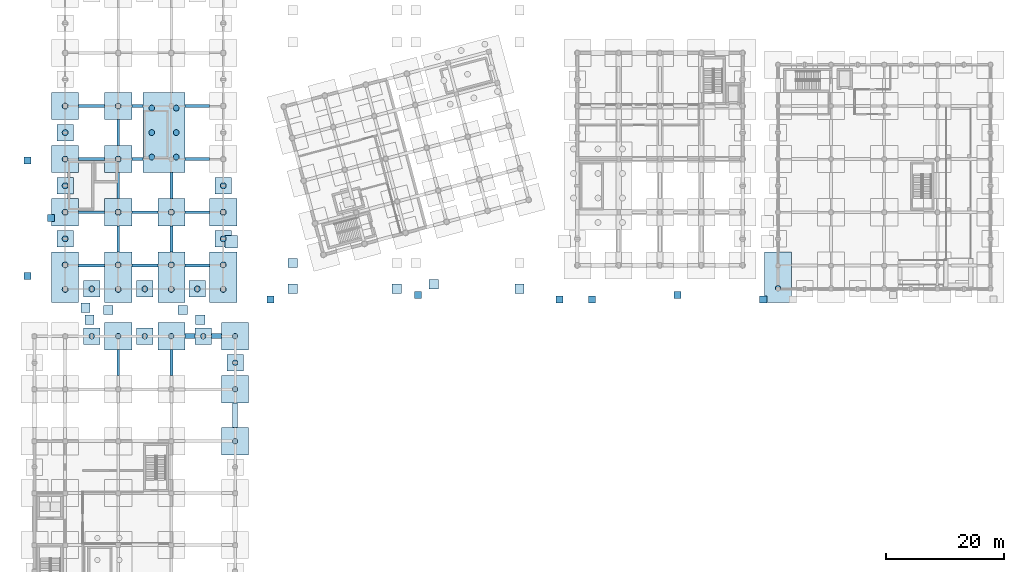
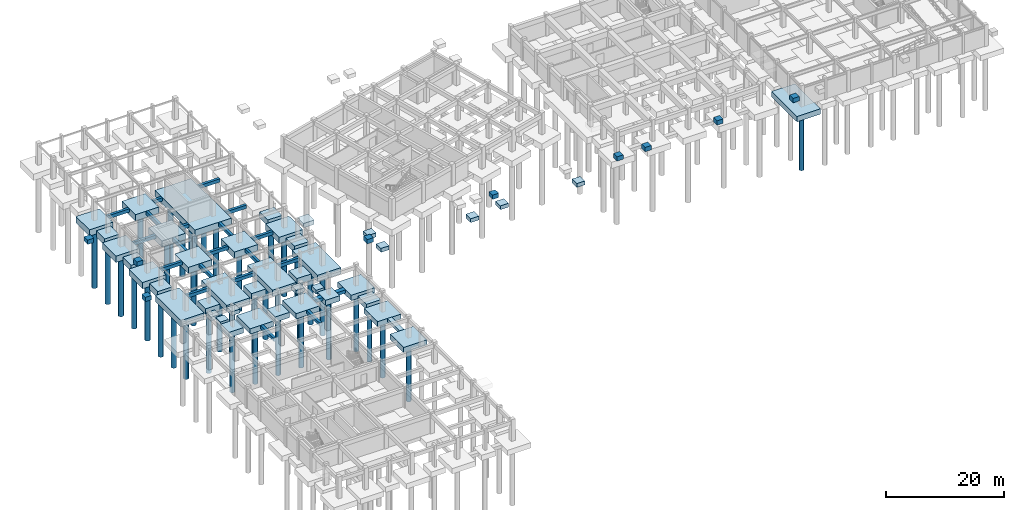
# One storey, part 2 of 20: 73 footings, 40 piles.
"""IFC4 building model written with IfcOpenShell, lengths in metres."""

import ifcopenshell
import ifcopenshell.guid

model = None  # the IFC model being written
_history = None  # IfcOwnerHistory: only IFC2X3 demands one
_inside = {}  # id of a spatial element -> (the spatial element, [elements in it])
_under = {}  # id of a project, library or spatial element -> (it, [spatial elements below it])
_declared = {}  # id of a project -> (the project, [libraries it declares])
_typed = {}  # id of a type object -> (the type object, [elements of that type])
_made_of = {}  # id of a material, layer set ... -> (it, [elements and type objects made of it])


def new_model(schema):
    """Start an empty IFC model of exactly this schema.

    Asked for "IFC4X3", IfcOpenShell would pick the latest addendum, in which some entities
    have other attributes; the version numbers below select the first issue.
    IFC2X3 requires an IfcOwnerHistory on every rooted entity: one is made here for all.
    """
    global model, _history
    if schema == "IFC4X3":
        model = ifcopenshell.file(schema_version=(4, 3, 0, 0))
    else:
        model = ifcopenshell.file(schema=schema)
    _inside.clear()
    _under.clear()
    _declared.clear()
    _typed.clear()
    _made_of.clear()
    _history = None
    if model.schema == "IFC2X3":
        org = make("IfcOrganization", Name="unknown")
        user = make(
            "IfcPersonAndOrganization",
            ThePerson=make("IfcPerson", FamilyName="unknown"),
            TheOrganization=org,
        )
        app = make(
            "IfcApplication",
            ApplicationDeveloper=org,
            Version="unknown",
            ApplicationFullName="unknown",
            ApplicationIdentifier="unknown",
        )
        _history = make(
            "IfcOwnerHistory",
            OwningUser=user,
            OwningApplication=app,
            ChangeAction="ADDED",
            CreationDate=0,
        )
    return model


def make(cls, **values):
    """One entity of the class cls with the attributes given. An attribute that is None is left unset."""
    return model.create_entity(
        cls, **{name: value for name, value in values.items() if value is not None}
    )


def rooted(cls, **values):
    """An entity with a GlobalId (a new one), such as an element, a storey or a relation."""
    return make(cls, GlobalId=ifcopenshell.guid.new(), OwnerHistory=_history, **values)


def si_unit(unit_type, name, prefix=None):
    """IfcSIUnit, for example si_unit("LENGTHUNIT", "METRE", prefix="MILLI")."""
    return make("IfcSIUnit", UnitType=unit_type, Prefix=prefix, Name=name)


def assignment(units):
    """IfcUnitAssignment: the units of a project."""
    return None if units is None else make("IfcUnitAssignment", Units=units)


def point(xyz):
    """IfcCartesianPoint."""
    return None if xyz is None else make("IfcCartesianPoint", Coordinates=xyz)


def direction(xyz):
    """IfcDirection."""
    return None if xyz is None else make("IfcDirection", DirectionRatios=xyz)


def frame(location, z_axis=None, x_axis=None):
    """IfcAxis2Placement3D, a coordinate frame: its origin and axes. An axis left out is left unset."""
    return make(
        "IfcAxis2Placement3D",
        Location=point(location),
        Axis=direction(z_axis),
        RefDirection=direction(x_axis),
    )


def frame_2d(location, x_axis=None):
    """IfcAxis2Placement2D, a coordinate frame in the plane: its origin and x axis."""
    return make(
        "IfcAxis2Placement2D", Location=point(location), RefDirection=direction(x_axis)
    )


def origin():
    """The frame at (0, 0, 0) with its axes left unset."""
    return frame((0.0, 0.0, 0.0))


def origin_2d():
    """The frame at (0, 0) in the plane with its x axis left unset."""
    return frame_2d((0.0, 0.0))


def place(relative_to, where):
    """IfcLocalPlacement: puts the frame where relative to a parent placement (None: the world)."""
    return make(
        "IfcLocalPlacement", PlacementRelTo=relative_to, RelativePlacement=where
    )


def context(
    kind, dimensions, precision=None, world=None, true_north=None, identifier=None
):
    """IfcGeometricRepresentationContext, for example the 3D "Model" context."""
    return make(
        "IfcGeometricRepresentationContext",
        ContextIdentifier=identifier,
        ContextType=kind,
        CoordinateSpaceDimension=dimensions,
        Precision=precision,
        WorldCoordinateSystem=world,
        TrueNorth=true_north,
    )


def subcontext(parent, identifier, kind, view, scale=None):
    """IfcGeometricRepresentationSubContext, for example "Body" below "Model"."""
    return make(
        "IfcGeometricRepresentationSubContext",
        ContextIdentifier=identifier,
        ContextType=kind,
        ParentContext=parent,
        TargetScale=scale,
        TargetView=view,
    )


def project(units=None, contexts=None):
    """IfcProject with its units and contexts."""
    return rooted(
        "IfcProject",
        Name="project",
        RepresentationContexts=contexts,
        UnitsInContext=assignment(units),
    )


def spatial(cls, under=None, at=None, **own):
    """A site, building, storey or space (cls), placed at a placement, below another one or the project."""
    s = rooted(cls, ObjectPlacement=at, **own)
    if under is not None:
        _under.setdefault(under.id(), (under, []))[1].append(s)
    return s


def profile(cls, at=None, kind="AREA", **sizes):
    """A parametric profile (cls). Its sizes go by their IFC names, for example OverallWidth=200.0."""
    return make(cls, ProfileType=kind, Position=at, **sizes)


def rectangle(**sizes):
    """IfcRectangleProfileDef."""
    return profile("IfcRectangleProfileDef", **sizes)


def circle(**sizes):
    """IfcCircleProfileDef."""
    return profile("IfcCircleProfileDef", **sizes)


def extrude(swept, where, along, depth):
    """IfcExtrudedAreaSolid: the profile swept, set in the frame where, extruded along a direction by depth."""
    return make(
        "IfcExtrudedAreaSolid",
        SweptArea=swept,
        Position=where,
        ExtrudedDirection=direction(along),
        Depth=depth,
    )


def shape(context_of_items, identifier, shape_type, items):
    """IfcShapeRepresentation: the items that make up one representation, for example the "Body"."""
    return make(
        "IfcShapeRepresentation",
        ContextOfItems=context_of_items,
        RepresentationIdentifier=identifier,
        RepresentationType=shape_type,
        Items=items,
    )


def material(Name=None, Category=None):
    """IfcMaterial."""
    return make("IfcMaterial", Name=Name, Category=Category)


def material_profile(
    of_material, cross_section, Name=None, Category=None, Priority=None
):
    """IfcMaterialProfile: a cross section and its material."""
    return make(
        "IfcMaterialProfile",
        Name=Name,
        Material=of_material,
        Profile=cross_section,
        Priority=Priority,
        Category=Category,
    )


def profile_set(profiles, Name=None, composite=None):
    """IfcMaterialProfileSet."""
    return make(
        "IfcMaterialProfileSet",
        Name=Name,
        MaterialProfiles=profiles,
        CompositeProfile=composite,
    )


def made_of(thing, what):
    """Note that an element or type object is made of a material, layer set ...; save() writes the relation."""
    if what is not None:
        _made_of.setdefault(what.id(), (what, []))[1].append(thing)
    return thing


def type_object(cls, material=None, **own):
    """A type object (cls), such as IfcWallType, which elements share."""
    return made_of(rooted(cls, **own), material)


def element(
    cls,
    number,
    at=None,
    inside=None,
    cuts=None,
    type_object=None,
    material=None,
    context=None,
    identifier="Body",
    shape_type=None,
    held_by="IfcProductDefinitionShape",
    body=None,
    shapes=None,
    **own,
):
    """One element of the class cls, such as IfcWall. Its Tag is "e" and its number.

    at: its placement. inside: the storey or other place that contains it. cuts: it is an
    opening in that element (IfcRelVoidsElement). A single representation is given by context,
    identifier, shape_type and body (its items); several are given by shapes. held_by: the class
    of the entity that holds the representations. save() writes the other relations.
    """
    e = rooted(cls, Tag="e%d" % number, ObjectPlacement=at, **own)
    if body is not None:
        shapes = [shape(context, identifier, shape_type, body)]
    if shapes is not None:
        e.Representation = make(held_by, Representations=shapes)
    if inside is not None:
        _inside.setdefault(inside.id(), (inside, []))[1].append(e)
    if cuts is not None:
        rooted(
            "IfcRelVoidsElement", RelatingBuildingElement=cuts, RelatedOpeningElement=e
        )
    if type_object is not None:
        _typed.setdefault(type_object.id(), (type_object, []))[1].append(e)
    return made_of(e, material)


def aggregate(whole, parts):
    """IfcRelAggregates: a whole, such as a stair, and the parts it consists of."""
    return rooted("IfcRelAggregates", RelatingObject=whole, RelatedObjects=parts)


def save(model, path):
    """Write the relations noted so far, then the file.

    IfcRelAggregates (storeys below a building ...), IfcRelContainedInSpatialStructure (elements
    in a storey), IfcRelDefinesByType, IfcRelAssociatesMaterial and IfcRelDeclares: one each for
    every whole, place, type object, material and project.
    """
    for whole, parts in _under.values():
        aggregate(whole, parts)
    for where, things in _inside.values():
        rooted(
            "IfcRelContainedInSpatialStructure",
            RelatedElements=things,
            RelatingStructure=where,
        )
    for kind, things in _typed.values():
        rooted("IfcRelDefinesByType", RelatedObjects=things, RelatingType=kind)
    for what, things in _made_of.values():
        rooted("IfcRelAssociatesMaterial", RelatedObjects=things, RelatingMaterial=what)
    for by, libraries in _declared.values():
        rooted("IfcRelDeclares", RelatingContext=by, RelatedDefinitions=libraries)
    model.write(path)


model = new_model("IFC4")

# Units and contexts
model_context = context("Model", 3, precision=1e-05, world=origin(), true_north=direction((0.0, 1.0)))
body_context = subcontext(model_context, "Body", "Model", "MODEL_VIEW")
ifc_project = project(units=[si_unit("LENGTHUNIT", "METRE"), si_unit("AREAUNIT", "SQUARE_METRE"), si_unit("VOLUMEUNIT", "CUBIC_METRE"), si_unit("PLANEANGLEUNIT", "RADIAN"), si_unit("MASSUNIT", "GRAM", prefix="KILO")], contexts=[model_context])

# Site, building, storey
site_placement = place(None, origin())
site = spatial("IfcSite", under=ifc_project, at=site_placement, CompositionType="ELEMENT")
building_placement = place(site_placement, origin())
building = spatial("IfcBuilding", under=site, at=building_placement, Name="Ventoquebrada Cableway Terminal", CompositionType="ELEMENT")
storey_placement = place(building_placement, frame((0.0, 0.0, -4.5)))
storey = spatial("IfcBuildingStorey", under=building, at=storey_placement, Name="B1", CompositionType="ELEMENT", Elevation=-4.5)

# Footings
ifc_material = material(Name="Concrete C40/50", Category="concrete")
footing_type_1 = type_object("IfcFootingType", Name="FT-CN01", PredefinedType="PAD_FOOTING", material=ifc_material)
for number, where, z_axis, x_axis, name in (
    (1, (12.324951171875, 58.760009765625, -0.7998046875), (0.0, 0.0, 1.0), (1.0, 0.0, 0.0), "Canopy post pad footing FC-001"),
    (2, (15.47509765625, 60.43994140625, -0.7998046875), (0.0, 0.0, 1.0), (1.0, 0.0, 0.0), "Canopy post pad footing FC-002"),
    (3, (11.64990234375, 60.800048828125, -0.7998046875), (0.0, 0.0, 1.0), (1.0, 0.0, 0.0), "Canopy post pad footing FC-003"),
    (4, (31.070068359375, 58.760009765625, -0.7998046875), (0.0, 0.0, 1.0), (1.0, 0.0, 0.0), "Canopy post pad footing FC-004"),
    (5, (28.1298828125, 60.43994140625, -0.7998046875), (0.0, 0.0, 1.0), (1.0, 0.0, 0.0), "Canopy post pad footing FC-005"),
    (6, (46.800048828125, 64.0, -0.7998046875), (0.0, 0.0, 1.0), (1.0, 0.0, 0.0), "Canopy post pad footing FC-006"),
    (7, (64.39990234375, 64.0, -0.7998046875), (0.0, 0.0, 1.0), (1.0, 0.0, 0.0), "Canopy post pad footing FC-007"),
    (8, (46.800048828125, 68.39990234375, -0.7998046875), (0.0, 0.0, 1.0), (1.0, 0.0, 0.0), "Canopy post pad footing FC-009"),
    (9, (70.679931640625, 64.77001953125, -0.7998046875), (0.0, 0.0, 1.0), (1.0, 0.0, 0.0), "Canopy post pad footing FC-010"),
    (10, (85.199951171875, 64.0, -0.7998046875), (0.0, 0.0, 1.0), (1.0, 0.0, 0.0), "Canopy post pad footing FC-011"),
):
    element("IfcFooting", number, at=place(storey_placement, frame(where, z_axis=z_axis, x_axis=x_axis)), inside=storey, type_object=footing_type_1, Name=name, PredefinedType="PAD_FOOTING", context=body_context, shape_type="SweptSolid", body=[
        extrude(rectangle(XDim=1.60009765625, YDim=1.60009765625, at=origin_2d()), origin(), (0.0, 0.0, 1.0), 0.800048828125),
    ])
footing_type_2 = type_object("IfcFootingType", Name="FT-PC01", PredefinedType="PILE_CAP", material=ifc_material)
for number, where, z_axis, x_axis, name in (
    (11, (17.199951171875, 56.0, -1.10009765625), (0.0, 0.0, 1.0), (1.0, 0.0, 0.0), "Reinforced concrete pile cap PC-031"),
    (12, (37.0, 38.199951171875, -1.10009765625), (0.0, 0.0, 1.0), (1.0, 0.0, 0.0), "Reinforced concrete pile cap PC-042"),
    (13, (37.0, 47.0, -1.10009765625), (0.0, 0.0, 1.0), (1.0, 0.0, 0.0), "Reinforced concrete pile cap PC-044"),
    (14, (26.199951171875, 56.0, -1.10009765625), (0.0, 0.0, 1.0), (1.0, 0.0, 0.0), "Reinforced concrete pile cap PC-046"),
    (15, (37.0, 56.0, -1.10009765625), (0.0, 0.0, 1.0), (1.0, 0.0, 0.0), "Reinforced concrete pile cap PC-048"),
):
    element("IfcFooting", number, at=place(storey_placement, frame(where, z_axis=z_axis, x_axis=x_axis)), inside=storey, type_object=footing_type_2, Name=name, PredefinedType="PILE_CAP", context=body_context, shape_type="SweptSolid", body=[
        extrude(rectangle(XDim=4.60009765625, YDim=4.60009765625, at=origin_2d()), origin(), (0.0, 0.0, 1.0), 1.10009765625),
    ])
footing_type_3 = type_object("IfcFootingType", Name="FT-PC02", PredefinedType="PILE_CAP", material=ifc_material)
for number, where, z_axis, x_axis, name in (
    (16, (21.699951171875, 56.0, -1.10009765625), (0.0, 0.0, 1.0), (1.0, 0.0, 0.0), "Reinforced concrete pile cap PC-030"),
    (17, (12.699951171875, 56.0, -1.10009765625), (0.0, 0.0, 1.0), (1.0, 0.0, 0.0), "Reinforced concrete pile cap PC-032"),
    (18, (37.0, 51.5, -1.10009765625), (0.0, 0.0, 1.0), (1.0, 0.0, 0.0), "Reinforced concrete pile cap PC-045"),
    (19, (31.60009765625, 56.0, -1.10009765625), (0.0, 0.0, 1.0), (1.0, 0.0, 0.0), "Reinforced concrete pile cap PC-047"),
):
    element("IfcFooting", number, at=place(storey_placement, frame(where, z_axis=z_axis, x_axis=x_axis)), inside=storey, type_object=footing_type_3, Name=name, PredefinedType="PILE_CAP", context=body_context, shape_type="SweptSolid", body=[
        extrude(rectangle(XDim=2.800048828125, YDim=2.800048828125, at=origin_2d()), origin(), (0.0, 0.0, 1.0), 1.10009765625),
    ])
footing_type_4 = type_object("IfcFootingType", Name="FT-PC04", PredefinedType="PILE_CAP", material=ifc_material)
for number, where, z_axis, x_axis, name in (
    (20, (8.199951171875, 66.0, -1.2998046875), (0.0, 0.0, 1.0), (1.0, 0.0, 0.0), "Reinforced concrete pile cap PC-049"),
    (21, (17.199951171875, 66.0, -1.2998046875), (0.0, 0.0, 1.0), (1.0, 0.0, 0.0), "Reinforced concrete pile cap PC-063"),
    (22, (26.199951171875, 66.0, -1.2998046875), (0.0, 0.0, 1.0), (1.0, 0.0, 0.0), "Reinforced concrete pile cap PC-065"),
    (23, (35.0, 66.0, -1.2998046875), (0.0, 0.0, 1.0), (1.0, 0.0, 0.0), "Reinforced concrete pile cap PC-075"),
):
    element("IfcFooting", number, at=place(storey_placement, frame(where, z_axis=z_axis, x_axis=x_axis)), inside=storey, type_object=footing_type_4, Name=name, PredefinedType="PILE_CAP", context=body_context, shape_type="SweptSolid", body=[
        extrude(rectangle(XDim=4.60009765625, YDim=8.60009765625, at=origin_2d()), origin(), (0.0, 0.0, 1.0), 1.300048828125),
    ])
footing_type_5 = type_object("IfcFootingType", Name="FT-PC05", PredefinedType="PILE_CAP", material=ifc_material)
for number, where, z_axis, x_axis, name in (
    (24, (12.699951171875, 64.0, -1.2998046875), (0.0, 0.0, 1.0), (1.0, 0.0, 0.0), "Reinforced concrete pile cap PC-050"),
    (25, (8.199951171875, 72.5, -1.2998046875), (0.0, 0.0, 1.0), (1.0, 0.0, 0.0), "Reinforced concrete pile cap PC-051"),
    (26, (8.199951171875, 81.5, -1.2998046875), (0.0, 0.0, 1.0), (1.0, 0.0, 0.0), "Reinforced concrete pile cap PC-053"),
    (27, (8.199951171875, 90.5, -1.2998046875), (0.0, 0.0, 1.0), (1.0, 0.0, 0.0), "Reinforced concrete pile cap PC-055"),
    (28, (21.699951171875, 64.0, -1.2998046875), (0.0, 0.0, 1.0), (1.0, 0.0, 0.0), "Reinforced concrete pile cap PC-064"),
    (29, (30.60009765625, 64.0, -1.2998046875), (0.0, 0.0, 1.0), (1.0, 0.0, 0.0), "Reinforced concrete pile cap PC-074"),
    (30, (35.0, 72.5, -1.2998046875), (0.0, 0.0, 1.0), (1.0, 0.0, 0.0), "Reinforced concrete pile cap PC-076"),
    (31, (35.0, 81.5, -1.2998046875), (0.0, 0.0, 1.0), (1.0, 0.0, 0.0), "Reinforced concrete pile cap PC-078"),
):
    element("IfcFooting", number, at=place(storey_placement, frame(where, z_axis=z_axis, x_axis=x_axis)), inside=storey, type_object=footing_type_5, Name=name, PredefinedType="PILE_CAP", context=body_context, shape_type="SweptSolid", body=[
        extrude(rectangle(XDim=2.800048828125, YDim=2.800048828125, at=origin_2d()), origin(), (0.0, 0.0, 1.0), 1.300048828125),
    ])
footing_type_6 = type_object("IfcFootingType", Name="FT-PC06", PredefinedType="PILE_CAP", material=ifc_material)
for number, where, z_axis, x_axis, name in (
    (32, (8.199951171875, 77.0, -1.2998046875), (0.0, 0.0, 1.0), (1.0, 0.0, 0.0), "Reinforced concrete pile cap PC-052"),
    (33, (8.199951171875, 86.0, -1.2998046875), (0.0, 0.0, 1.0), (1.0, 0.0, 0.0), "Reinforced concrete pile cap PC-054"),
    (34, (8.199951171875, 95.0, -1.2998046875), (0.0, 0.0, 1.0), (1.0, 0.0, 0.0), "Reinforced concrete pile cap PC-056"),
    (35, (17.199951171875, 77.0, -1.2998046875), (0.0, 0.0, 1.0), (1.0, 0.0, 0.0), "Reinforced concrete pile cap PC-066"),
    (36, (26.199951171875, 77.0, -1.2998046875), (0.0, 0.0, 1.0), (1.0, 0.0, 0.0), "Reinforced concrete pile cap PC-067"),
    (37, (17.199951171875, 86.0, -1.2998046875), (0.0, 0.0, 1.0), (1.0, 0.0, 0.0), "Reinforced concrete pile cap PC-068"),
    (38, (17.199951171875, 95.0, -1.2998046875), (0.0, 0.0, 1.0), (1.0, 0.0, 0.0), "Reinforced concrete pile cap PC-070"),
    (39, (35.0, 77.0, -1.2998046875), (0.0, 0.0, 1.0), (1.0, 0.0, 0.0), "Reinforced concrete pile cap PC-077"),
):
    element("IfcFooting", number, at=place(storey_placement, frame(where, z_axis=z_axis, x_axis=x_axis)), inside=storey, type_object=footing_type_6, Name=name, PredefinedType="PILE_CAP", context=body_context, shape_type="SweptSolid", body=[
        extrude(rectangle(XDim=4.60009765625, YDim=4.60009765625, at=origin_2d()), origin(), (0.0, 0.0, 1.0), 1.300048828125),
    ])
footing_type_7 = type_object("IfcFootingType", Name="FT-PC07", PredefinedType="PILE_CAP", material=ifc_material)
footing_1_placement = place(storey_placement, frame((24.949951171875, 90.5, -1.2998046875), z_axis=(0.0, 0.0, 1.0), x_axis=(1.0, 0.0, 0.0)))
element("IfcFooting", 40, at=footing_1_placement, inside=storey, type_object=footing_type_7, Name="Reinforced concrete pile cap PC-069", PredefinedType="PILE_CAP", context=body_context, shape_type="SweptSolid", body=[
    extrude(rectangle(XDim=7.10009765625, YDim=13.60009765625, at=origin_2d()), origin(), (0.0, 0.0, 1.0), 1.300048828125),
])
footing_type_8 = type_object("IfcFootingType", Name="FT-PC10", PredefinedType="PILE_CAP", material=ifc_material)
footing_2_placement = place(storey_placement, frame((129.0, 66.0, -1.10009765625), z_axis=(0.0, 0.0, 1.0), x_axis=(1.0, 0.0, 0.0)))
element("IfcFooting", 41, at=footing_2_placement, inside=storey, type_object=footing_type_8, Name="Reinforced concrete pile cap PC-144", PredefinedType="PILE_CAP", context=body_context, shape_type="SweptSolid", body=[
    extrude(rectangle(XDim=4.60009765625, YDim=8.60009765625, at=origin_2d()), origin(), (0.0, 0.0, 1.0), 1.10009765625),
])
footing_type_9 = type_object("IfcFootingType", Name="FT-PD01", PredefinedType="PAD_FOOTING", material=ifc_material)
for number, where, z_axis, x_axis, name in (
    (42, (1.800048828125, 66.199951171875, 3.179931640625), (0.0, 0.0, 1.0), (1.0, 0.0, 0.0), "Plaza court grade pad footing PPD-01"),
    (43, (1.800048828125, 85.800048828125, 3.179931640625), (0.0, 0.0, 1.0), (1.0, 0.0, 0.0), "Plaza court grade pad footing PPD-02"),
    (44, (5.800048828125, 76.0, 3.179931640625), (0.0, 0.0, 1.0), (1.0, 0.0, 0.0), "Plaza court grade pad footing PPD-03"),
    (45, (43.0, 62.199951171875, 3.179931640625), (0.0, 0.0, 1.0), (1.0, 0.0, 0.0), "Plaza court grade pad footing PPD-04"),
    (46, (68.0, 62.949951171875, 3.179931640625), (0.0, 0.0, 1.0), (1.0, 0.0, 0.0), "Plaza court grade pad footing PPD-05"),
    (47, (92.0, 62.199951171875, 3.179931640625), (0.0, 0.0, 1.0), (1.0, 0.0, 0.0), "Plaza court grade pad footing PPD-06"),
    (48, (97.5, 62.199951171875, 3.179931640625), (0.0, 0.0, 1.0), (1.0, 0.0, 0.0), "Plaza court grade pad footing PPD-07"),
    (49, (112.0, 62.949951171875, 3.179931640625), (0.0, 0.0, 1.0), (1.0, 0.0, 0.0), "Plaza court grade pad footing PPD-08"),
    (50, (126.5, 62.199951171875, 3.179931640625), (0.0, 0.0, 1.0), (1.0, 0.0, 0.0), "Plaza court grade pad footing PPD-09"),
):
    element("IfcFooting", number, at=place(storey_placement, frame(where, z_axis=z_axis, x_axis=x_axis)), inside=storey, type_object=footing_type_9, Name=name, PredefinedType="PAD_FOOTING", context=body_context, shape_type="SweptSolid", body=[
        extrude(rectangle(XDim=1.199951171875, YDim=1.199951171875, at=origin_2d()), origin(), (0.0, 0.0, 1.0), 0.89990234375),
    ])
footing_3_placement = place(storey_placement, frame((36.35009765625, 72.0, 3.320068359375), z_axis=(0.0, 0.0, 1.0), x_axis=(1.0, 0.0, 0.0)))
element("IfcFooting", 51, at=footing_3_placement, inside=storey, type_object=footing_type_9, Name="Accessible ramp toe pad footing R4", PredefinedType="PAD_FOOTING", context=body_context, shape_type="SweptSolid", body=[
    extrude(rectangle(XDim=2.10009765625, YDim=2.10009765625, at=origin_2d()), origin(), (0.0, 0.0, 1.0), 0.89990234375),
])
footing_type_10 = type_object("IfcFootingType", Name="FT-SF01", PredefinedType="STRIP_FOOTING", material=ifc_material)
footing_4_placement = place(storey_placement, frame((37.0, 42.60009765625, -0.64990234375), z_axis=(0.0, 0.0, 1.0), x_axis=(0.0, 1.0, 0.0)))
element("IfcFooting", 52, at=footing_4_placement, inside=storey, type_object=footing_type_10, Name="Reinforced concrete strip footing SF-021", PredefinedType="STRIP_FOOTING", context=body_context, shape_type="SweptSolid", body=[
    extrude(rectangle(XDim=4.2041015625, YDim=0.85009765625, at=origin_2d()), origin(), (0.0, 0.0, 1.0), 0.64990234375),
])
footing_type_11 = type_object("IfcFootingType", Name="FT-SF04", PredefinedType="STRIP_FOOTING", material=ifc_material)
for number, where, z_axis, x_axis, name in (
    (53, (29.35009765625, 56.0, -0.64990234375), (0.0, 0.0, 1.0), (1.0, 0.0, 0.0), "Reinforced concrete strip footing SF-037"),
    (54, (33.85009765625, 56.0, -0.64990234375), (0.0, 0.0, 1.0), (1.0, 0.0, 0.0), "Reinforced concrete strip footing SF-038"),
):
    element("IfcFooting", number, at=place(storey_placement, frame(where, z_axis=z_axis, x_axis=x_axis)), inside=storey, type_object=footing_type_11, Name=name, PredefinedType="STRIP_FOOTING", context=body_context, shape_type="SweptSolid", body=[
        extrude(rectangle(XDim=1.7041015625, YDim=0.85009765625, at=origin_2d()), origin(), (0.0, 0.0, 1.0), 0.64990234375),
    ])
footing_type_12 = type_object("IfcFootingType", Name="FT-TB02", PredefinedType="FOOTING_BEAM", material=ifc_material)
for number, where, z_axis, x_axis, name in (
    (55, (30.60009765625, 68.0, -0.7001953125), (0.0, 0.0, 1.0), (1.0, 0.0, 0.0), "Reinforced concrete seismic tie beam TB-050"),
    (56, (30.60009765625, 77.0, -0.7001953125), (0.0, 0.0, 1.0), (1.0, 0.0, 0.0), "Reinforced concrete seismic tie beam TB-053"),
    (57, (30.60009765625, 86.0, -0.7001953125), (0.0, 0.0, 1.0), (1.0, 0.0, 0.0), "Reinforced concrete seismic tie beam TB-056"),
    (58, (30.60009765625, 95.0, -0.7001953125), (0.0, 0.0, 1.0), (1.0, 0.0, 0.0), "Reinforced concrete seismic tie beam TB-059"),
):
    element("IfcFooting", number, at=place(storey_placement, frame(where, z_axis=z_axis, x_axis=x_axis)), inside=storey, type_object=footing_type_12, Name=name, PredefinedType="FOOTING_BEAM", context=body_context, shape_type="SweptSolid", body=[
        extrude(rectangle(XDim=4.2041015625, YDim=0.5, at=origin_2d()), origin(), (0.0, 0.0, 1.0), 0.699951171875),
    ])
footing_type_13 = type_object("IfcFootingType", Name="FT-TB03", PredefinedType="FOOTING_BEAM", material=ifc_material)
for number, where, z_axis, x_axis, name in (
    (59, (17.199951171875, 51.5, -0.7001953125), (0.0, 0.0, 1.0), (0.0, 1.0, 0.0), "Reinforced concrete seismic tie beam TB-013"),
    (60, (26.199951171875, 51.5, -0.7001953125), (0.0, 0.0, 1.0), (0.0, 1.0, 0.0), "Reinforced concrete seismic tie beam TB-019"),
    (61, (17.199951171875, 72.5, -0.7001953125), (0.0, 0.0, 1.0), (0.0, 1.0, 0.0), "Reinforced concrete seismic tie beam TB-039"),
    (62, (17.199951171875, 81.5, -0.7001953125), (0.0, 0.0, 1.0), (0.0, 1.0, 0.0), "Reinforced concrete seismic tie beam TB-040"),
    (63, (17.199951171875, 90.5, -0.7001953125), (0.0, 0.0, 1.0), (0.0, 1.0, 0.0), "Reinforced concrete seismic tie beam TB-041"),
    (64, (26.199951171875, 72.5, -0.7001953125), (0.0, 0.0, 1.0), (0.0, 1.0, 0.0), "Reinforced concrete seismic tie beam TB-044"),
    (65, (26.199951171875, 81.5, -0.7001953125), (0.0, 0.0, 1.0), (0.0, 1.0, 0.0), "Reinforced concrete seismic tie beam TB-045"),
    (66, (12.699951171875, 68.0, -0.7001953125), (0.0, 0.0, 1.0), (1.0, 0.0, 0.0), "Reinforced concrete seismic tie beam TB-048"),
    (67, (21.699951171875, 68.0, -0.7001953125), (0.0, 0.0, 1.0), (1.0, 0.0, 0.0), "Reinforced concrete seismic tie beam TB-049"),
    (68, (12.699951171875, 77.0, -0.7001953125), (0.0, 0.0, 1.0), (1.0, 0.0, 0.0), "Reinforced concrete seismic tie beam TB-051"),
    (69, (21.699951171875, 77.0, -0.7001953125), (0.0, 0.0, 1.0), (1.0, 0.0, 0.0), "Reinforced concrete seismic tie beam TB-052"),
    (70, (12.699951171875, 86.0, -0.7001953125), (0.0, 0.0, 1.0), (1.0, 0.0, 0.0), "Reinforced concrete seismic tie beam TB-054"),
    (71, (12.699951171875, 95.0, -0.7001953125), (0.0, 0.0, 1.0), (1.0, 0.0, 0.0), "Reinforced concrete seismic tie beam TB-057"),
):
    element("IfcFooting", number, at=place(storey_placement, frame(where, z_axis=z_axis, x_axis=x_axis)), inside=storey, type_object=footing_type_13, Name=name, PredefinedType="FOOTING_BEAM", context=body_context, shape_type="SweptSolid", body=[
        extrude(rectangle(XDim=4.404052734375, YDim=0.5, at=origin_2d()), origin(), (0.0, 0.0, 1.0), 0.699951171875),
    ])
footing_type_14 = type_object("IfcFootingType", Name="FT-TB07", PredefinedType="FOOTING_BEAM", material=ifc_material)
for number, where, z_axis, x_axis, name in (
    (72, (20.449951171875, 86.0, -0.7001953125), (0.0, 0.0, 1.0), (1.0, 0.0, 0.0), "Reinforced concrete seismic tie beam TB-055"),
    (73, (20.449951171875, 95.0, -0.7001953125), (0.0, 0.0, 1.0), (1.0, 0.0, 0.0), "Reinforced concrete seismic tie beam TB-058"),
):
    element("IfcFooting", number, at=place(storey_placement, frame(where, z_axis=z_axis, x_axis=x_axis)), inside=storey, type_object=footing_type_14, Name=name, PredefinedType="FOOTING_BEAM", context=body_context, shape_type="SweptSolid", body=[
        extrude(rectangle(XDim=1.904052734375, YDim=0.5, at=origin_2d()), origin(), (0.0, 0.0, 1.0), 0.699951171875),
    ])

# Piles
ifc_material_profile_1 = material_profile(ifc_material, circle(Radius=0.5, at=origin_2d()), Name="PILE-D1000")
ifc_profile_set_1 = profile_set([ifc_material_profile_1], Name="Concrete C40/50")
pile_type_1 = type_object("IfcPileType", Name="PL-D1000", PredefinedType="BORED", material=ifc_profile_set_1)
pile_1_placement = place(storey_placement, frame((8.199951171875, 63.925048828125, -1.199951171875), z_axis=(0.0, 0.0, -1.0), x_axis=(1.0, 0.0, 0.0)))
element("IfcPile", 74, at=pile_1_placement, inside=storey, type_object=pile_type_1, Name="Cast-in-place bored pile FP-056", PredefinedType="BORED", context=body_context, shape_type="SweptSolid", body=[
    extrude(circle(Radius=0.5, at=origin_2d()), origin(), (0.0, 0.0, 1.0), 12.800048828125),
])
pile_2_placement = place(storey_placement, frame((8.199951171875, 68.074951171875, -1.199951171875), z_axis=(0.0, 0.0, -1.0), x_axis=(1.0, 0.0, 0.0)))
element("IfcPile", 75, at=pile_2_placement, inside=storey, type_object=pile_type_1, Name="Cast-in-place bored pile FP-057", PredefinedType="BORED", context=body_context, shape_type="SweptSolid", body=[
    extrude(circle(Radius=0.5, at=origin_2d()), origin(), (0.0, 0.0, 1.0), 13.0),
])
pile_3_placement = place(storey_placement, frame((12.699951171875, 64.0, -1.199951171875), z_axis=(0.0, 0.0, -1.0), x_axis=(1.0, 0.0, 0.0)))
element("IfcPile", 76, at=pile_3_placement, inside=storey, type_object=pile_type_1, Name="Cast-in-place bored pile FP-058", PredefinedType="BORED", context=body_context, shape_type="SweptSolid", body=[
    extrude(circle(Radius=0.5, at=origin_2d()), origin(), (0.0, 0.0, 1.0), 13.199951171875),
])
pile_4_placement = place(storey_placement, frame((8.199951171875, 72.5, -1.199951171875), z_axis=(0.0, 0.0, -1.0), x_axis=(1.0, 0.0, 0.0)))
element("IfcPile", 77, at=pile_4_placement, inside=storey, type_object=pile_type_1, Name="Cast-in-place bored pile FP-059", PredefinedType="BORED", context=body_context, shape_type="SweptSolid", body=[
    extrude(circle(Radius=0.5, at=origin_2d()), origin(), (0.0, 0.0, 1.0), 13.39990234375),
])
pile_5_placement = place(storey_placement, frame((8.199951171875, 77.0, -1.199951171875), z_axis=(0.0, 0.0, -1.0), x_axis=(1.0, 0.0, 0.0)))
element("IfcPile", 78, at=pile_5_placement, inside=storey, type_object=pile_type_1, Name="Cast-in-place bored pile FP-060", PredefinedType="BORED", context=body_context, shape_type="SweptSolid", body=[
    extrude(circle(Radius=0.5, at=origin_2d()), origin(), (0.0, 0.0, 1.0), 12.800048828125),
])
pile_6_placement = place(storey_placement, frame((8.199951171875, 81.5, -1.199951171875), z_axis=(0.0, 0.0, -1.0), x_axis=(1.0, 0.0, 0.0)))
element("IfcPile", 79, at=pile_6_placement, inside=storey, type_object=pile_type_1, Name="Cast-in-place bored pile FP-061", PredefinedType="BORED", context=body_context, shape_type="SweptSolid", body=[
    extrude(circle(Radius=0.5, at=origin_2d()), origin(), (0.0, 0.0, 1.0), 13.0),
])
pile_7_placement = place(storey_placement, frame((8.199951171875, 86.0, -1.199951171875), z_axis=(0.0, 0.0, -1.0), x_axis=(1.0, 0.0, 0.0)))
element("IfcPile", 80, at=pile_7_placement, inside=storey, type_object=pile_type_1, Name="Cast-in-place bored pile FP-062", PredefinedType="BORED", context=body_context, shape_type="SweptSolid", body=[
    extrude(circle(Radius=0.5, at=origin_2d()), origin(), (0.0, 0.0, 1.0), 13.199951171875),
])
pile_8_placement = place(storey_placement, frame((8.199951171875, 90.5, -1.199951171875), z_axis=(0.0, 0.0, -1.0), x_axis=(1.0, 0.0, 0.0)))
element("IfcPile", 81, at=pile_8_placement, inside=storey, type_object=pile_type_1, Name="Cast-in-place bored pile FP-063", PredefinedType="BORED", context=body_context, shape_type="SweptSolid", body=[
    extrude(circle(Radius=0.5, at=origin_2d()), origin(), (0.0, 0.0, 1.0), 13.39990234375),
])
pile_9_placement = place(storey_placement, frame((8.199951171875, 95.0, -1.199951171875), z_axis=(0.0, 0.0, -1.0), x_axis=(1.0, 0.0, 0.0)))
element("IfcPile", 82, at=pile_9_placement, inside=storey, type_object=pile_type_1, Name="Cast-in-place bored pile FP-064", PredefinedType="BORED", context=body_context, shape_type="SweptSolid", body=[
    extrude(circle(Radius=0.5, at=origin_2d()), origin(), (0.0, 0.0, 1.0), 12.800048828125),
])
pile_10_placement = place(storey_placement, frame((17.199951171875, 63.925048828125, -1.199951171875), z_axis=(0.0, 0.0, -1.0), x_axis=(1.0, 0.0, 0.0)))
element("IfcPile", 83, at=pile_10_placement, inside=storey, type_object=pile_type_1, Name="Cast-in-place bored pile FP-071", PredefinedType="BORED", context=body_context, shape_type="SweptSolid", body=[
    extrude(circle(Radius=0.5, at=origin_2d()), origin(), (0.0, 0.0, 1.0), 13.39990234375),
])
pile_11_placement = place(storey_placement, frame((17.199951171875, 68.074951171875, -1.199951171875), z_axis=(0.0, 0.0, -1.0), x_axis=(1.0, 0.0, 0.0)))
element("IfcPile", 84, at=pile_11_placement, inside=storey, type_object=pile_type_1, Name="Cast-in-place bored pile FP-072", PredefinedType="BORED", context=body_context, shape_type="SweptSolid", body=[
    extrude(circle(Radius=0.5, at=origin_2d()), origin(), (0.0, 0.0, 1.0), 12.800048828125),
])
pile_12_placement = place(storey_placement, frame((21.699951171875, 64.0, -1.199951171875), z_axis=(0.0, 0.0, -1.0), x_axis=(1.0, 0.0, 0.0)))
element("IfcPile", 85, at=pile_12_placement, inside=storey, type_object=pile_type_1, Name="Cast-in-place bored pile FP-073", PredefinedType="BORED", context=body_context, shape_type="SweptSolid", body=[
    extrude(circle(Radius=0.5, at=origin_2d()), origin(), (0.0, 0.0, 1.0), 13.0),
])
pile_13_placement = place(storey_placement, frame((26.199951171875, 63.925048828125, -1.199951171875), z_axis=(0.0, 0.0, -1.0), x_axis=(1.0, 0.0, 0.0)))
element("IfcPile", 86, at=pile_13_placement, inside=storey, type_object=pile_type_1, Name="Cast-in-place bored pile FP-074", PredefinedType="BORED", context=body_context, shape_type="SweptSolid", body=[
    extrude(circle(Radius=0.5, at=origin_2d()), origin(), (0.0, 0.0, 1.0), 13.199951171875),
])
pile_14_placement = place(storey_placement, frame((26.199951171875, 68.074951171875, -1.199951171875), z_axis=(0.0, 0.0, -1.0), x_axis=(1.0, 0.0, 0.0)))
element("IfcPile", 87, at=pile_14_placement, inside=storey, type_object=pile_type_1, Name="Cast-in-place bored pile FP-075", PredefinedType="BORED", context=body_context, shape_type="SweptSolid", body=[
    extrude(circle(Radius=0.5, at=origin_2d()), origin(), (0.0, 0.0, 1.0), 13.39990234375),
])
pile_15_placement = place(storey_placement, frame((17.199951171875, 77.0, -1.199951171875), z_axis=(0.0, 0.0, -1.0), x_axis=(1.0, 0.0, 0.0)))
element("IfcPile", 88, at=pile_15_placement, inside=storey, type_object=pile_type_1, Name="Cast-in-place bored pile FP-076", PredefinedType="BORED", context=body_context, shape_type="SweptSolid", body=[
    extrude(circle(Radius=0.5, at=origin_2d()), origin(), (0.0, 0.0, 1.0), 12.800048828125),
])
pile_16_placement = place(storey_placement, frame((26.199951171875, 77.0, -1.199951171875), z_axis=(0.0, 0.0, -1.0), x_axis=(1.0, 0.0, 0.0)))
element("IfcPile", 89, at=pile_16_placement, inside=storey, type_object=pile_type_1, Name="Cast-in-place bored pile FP-077", PredefinedType="BORED", context=body_context, shape_type="SweptSolid", body=[
    extrude(circle(Radius=0.5, at=origin_2d()), origin(), (0.0, 0.0, 1.0), 13.0),
])
pile_17_placement = place(storey_placement, frame((17.199951171875, 86.0, -1.199951171875), z_axis=(0.0, 0.0, -1.0), x_axis=(1.0, 0.0, 0.0)))
element("IfcPile", 90, at=pile_17_placement, inside=storey, type_object=pile_type_1, Name="Cast-in-place bored pile FP-078", PredefinedType="BORED", context=body_context, shape_type="SweptSolid", body=[
    extrude(circle(Radius=0.5, at=origin_2d()), origin(), (0.0, 0.0, 1.0), 13.199951171875),
])
pile_18_placement = place(storey_placement, frame((22.875, 86.35009765625, -1.199951171875), z_axis=(0.0, 0.0, -1.0), x_axis=(1.0, 0.0, 0.0)))
element("IfcPile", 91, at=pile_18_placement, inside=storey, type_object=pile_type_1, Name="Cast-in-place bored pile FP-079", PredefinedType="BORED", context=body_context, shape_type="SweptSolid", body=[
    extrude(circle(Radius=0.5, at=origin_2d()), origin(), (0.0, 0.0, 1.0), 13.39990234375),
])
pile_19_placement = place(storey_placement, frame((22.875, 90.5, -1.199951171875), z_axis=(0.0, 0.0, -1.0), x_axis=(1.0, 0.0, 0.0)))
element("IfcPile", 92, at=pile_19_placement, inside=storey, type_object=pile_type_1, Name="Cast-in-place bored pile FP-080", PredefinedType="BORED", context=body_context, shape_type="SweptSolid", body=[
    extrude(circle(Radius=0.5, at=origin_2d()), origin(), (0.0, 0.0, 1.0), 12.800048828125),
])
pile_20_placement = place(storey_placement, frame((22.875, 94.64990234375, -1.199951171875), z_axis=(0.0, 0.0, -1.0), x_axis=(1.0, 0.0, 0.0)))
element("IfcPile", 93, at=pile_20_placement, inside=storey, type_object=pile_type_1, Name="Cast-in-place bored pile FP-081", PredefinedType="BORED", context=body_context, shape_type="SweptSolid", body=[
    extrude(circle(Radius=0.5, at=origin_2d()), origin(), (0.0, 0.0, 1.0), 13.0),
])
pile_21_placement = place(storey_placement, frame((27.02490234375, 86.35009765625, -1.199951171875), z_axis=(0.0, 0.0, -1.0), x_axis=(1.0, 0.0, 0.0)))
element("IfcPile", 94, at=pile_21_placement, inside=storey, type_object=pile_type_1, Name="Cast-in-place bored pile FP-082", PredefinedType="BORED", context=body_context, shape_type="SweptSolid", body=[
    extrude(circle(Radius=0.5, at=origin_2d()), origin(), (0.0, 0.0, 1.0), 13.199951171875),
])
pile_22_placement = place(storey_placement, frame((27.02490234375, 90.5, -1.199951171875), z_axis=(0.0, 0.0, -1.0), x_axis=(1.0, 0.0, 0.0)))
element("IfcPile", 95, at=pile_22_placement, inside=storey, type_object=pile_type_1, Name="Cast-in-place bored pile FP-083", PredefinedType="BORED", context=body_context, shape_type="SweptSolid", body=[
    extrude(circle(Radius=0.5, at=origin_2d()), origin(), (0.0, 0.0, 1.0), 13.39990234375),
])
pile_23_placement = place(storey_placement, frame((27.02490234375, 94.64990234375, -1.199951171875), z_axis=(0.0, 0.0, -1.0), x_axis=(1.0, 0.0, 0.0)))
element("IfcPile", 96, at=pile_23_placement, inside=storey, type_object=pile_type_1, Name="Cast-in-place bored pile FP-084", PredefinedType="BORED", context=body_context, shape_type="SweptSolid", body=[
    extrude(circle(Radius=0.5, at=origin_2d()), origin(), (0.0, 0.0, 1.0), 12.800048828125),
])
for number, where, z_axis, x_axis, name in (
    (97, (17.199951171875, 95.0, -1.199951171875), (0.0, 0.0, -1.0), (1.0, 0.0, 0.0), "Cast-in-place bored pile FP-085"),
    (98, (30.60009765625, 64.0, -1.199951171875), (0.0, 0.0, -1.0), (1.0, 0.0, 0.0), "Cast-in-place bored pile FP-089"),
):
    element("IfcPile", number, at=place(storey_placement, frame(where, z_axis=z_axis, x_axis=x_axis)), inside=storey, type_object=pile_type_1, Name=name, PredefinedType="BORED", context=body_context, shape_type="SweptSolid", body=[
        extrude(circle(Radius=0.5, at=origin_2d()), origin(), (0.0, 0.0, 1.0), 13.0),
    ])
pile_24_placement = place(storey_placement, frame((35.0, 63.925048828125, -1.199951171875), z_axis=(0.0, 0.0, -1.0), x_axis=(1.0, 0.0, 0.0)))
element("IfcPile", 99, at=pile_24_placement, inside=storey, type_object=pile_type_1, Name="Cast-in-place bored pile FP-090", PredefinedType="BORED", context=body_context, shape_type="SweptSolid", body=[
    extrude(circle(Radius=0.5, at=origin_2d()), origin(), (0.0, 0.0, 1.0), 13.199951171875),
])
pile_25_placement = place(storey_placement, frame((35.0, 68.074951171875, -1.199951171875), z_axis=(0.0, 0.0, -1.0), x_axis=(1.0, 0.0, 0.0)))
element("IfcPile", 100, at=pile_25_placement, inside=storey, type_object=pile_type_1, Name="Cast-in-place bored pile FP-091", PredefinedType="BORED", context=body_context, shape_type="SweptSolid", body=[
    extrude(circle(Radius=0.5, at=origin_2d()), origin(), (0.0, 0.0, 1.0), 13.39990234375),
])
pile_26_placement = place(storey_placement, frame((35.0, 72.5, -1.199951171875), z_axis=(0.0, 0.0, -1.0), x_axis=(1.0, 0.0, 0.0)))
element("IfcPile", 101, at=pile_26_placement, inside=storey, type_object=pile_type_1, Name="Cast-in-place bored pile FP-092", PredefinedType="BORED", context=body_context, shape_type="SweptSolid", body=[
    extrude(circle(Radius=0.5, at=origin_2d()), origin(), (0.0, 0.0, 1.0), 12.800048828125),
])
pile_27_placement = place(storey_placement, frame((35.0, 77.0, -1.199951171875), z_axis=(0.0, 0.0, -1.0), x_axis=(1.0, 0.0, 0.0)))
element("IfcPile", 102, at=pile_27_placement, inside=storey, type_object=pile_type_1, Name="Cast-in-place bored pile FP-093", PredefinedType="BORED", context=body_context, shape_type="SweptSolid", body=[
    extrude(circle(Radius=0.5, at=origin_2d()), origin(), (0.0, 0.0, 1.0), 13.0),
])
pile_28_placement = place(storey_placement, frame((35.0, 81.5, -1.199951171875), z_axis=(0.0, 0.0, -1.0), x_axis=(1.0, 0.0, 0.0)))
element("IfcPile", 103, at=pile_28_placement, inside=storey, type_object=pile_type_1, Name="Cast-in-place bored pile FP-094", PredefinedType="BORED", context=body_context, shape_type="SweptSolid", body=[
    extrude(circle(Radius=0.5, at=origin_2d()), origin(), (0.0, 0.0, 1.0), 13.199951171875),
])
ifc_material_profile_2 = material_profile(ifc_material, circle(Radius=0.449951171875, at=origin_2d()), Name="PILE-D900")
ifc_profile_set_2 = profile_set([ifc_material_profile_2], Name="Concrete C40/50")
pile_type_2 = type_object("IfcPileType", Name="PL-D900", PredefinedType="BORED", material=ifc_profile_set_2)
pile_29_placement = place(storey_placement, frame((21.699951171875, 56.0, -1.0), z_axis=(0.0, 0.0, -1.0), x_axis=(1.0, 0.0, 0.0)))
element("IfcPile", 104, at=pile_29_placement, inside=storey, type_object=pile_type_2, Name="Cast-in-place bored pile FP-037", PredefinedType="BORED", context=body_context, shape_type="SweptSolid", body=[
    extrude(circle(Radius=0.449951171875, at=origin_2d()), origin(), (0.0, 0.0, 1.0), 12.199951171875),
])
pile_30_placement = place(storey_placement, frame((17.199951171875, 56.0, -1.0), z_axis=(0.0, 0.0, -1.0), x_axis=(1.0, 0.0, 0.0)))
element("IfcPile", 105, at=pile_30_placement, inside=storey, type_object=pile_type_2, Name="Cast-in-place bored pile FP-038", PredefinedType="BORED", context=body_context, shape_type="SweptSolid", body=[
    extrude(circle(Radius=0.449951171875, at=origin_2d()), origin(), (0.0, 0.0, 1.0), 12.39990234375),
])
pile_31_placement = place(storey_placement, frame((12.699951171875, 56.0, -1.0), z_axis=(0.0, 0.0, -1.0), x_axis=(1.0, 0.0, 0.0)))
element("IfcPile", 106, at=pile_31_placement, inside=storey, type_object=pile_type_2, Name="Cast-in-place bored pile FP-039", PredefinedType="BORED", context=body_context, shape_type="SweptSolid", body=[
    extrude(circle(Radius=0.449951171875, at=origin_2d()), origin(), (0.0, 0.0, 1.0), 12.60009765625),
])
pile_32_placement = place(storey_placement, frame((37.0, 38.199951171875, -1.0), z_axis=(0.0, 0.0, -1.0), x_axis=(1.0, 0.0, 0.0)))
element("IfcPile", 107, at=pile_32_placement, inside=storey, type_object=pile_type_2, Name="Cast-in-place bored pile FP-049", PredefinedType="BORED", context=body_context, shape_type="SweptSolid", body=[
    extrude(circle(Radius=0.449951171875, at=origin_2d()), origin(), (0.0, 0.0, 1.0), 12.199951171875),
])
pile_33_placement = place(storey_placement, frame((37.0, 47.0, -1.0), z_axis=(0.0, 0.0, -1.0), x_axis=(1.0, 0.0, 0.0)))
element("IfcPile", 108, at=pile_33_placement, inside=storey, type_object=pile_type_2, Name="Cast-in-place bored pile FP-051", PredefinedType="BORED", context=body_context, shape_type="SweptSolid", body=[
    extrude(circle(Radius=0.449951171875, at=origin_2d()), origin(), (0.0, 0.0, 1.0), 12.60009765625),
])
pile_34_placement = place(storey_placement, frame((37.0, 51.5, -1.0), z_axis=(0.0, 0.0, -1.0), x_axis=(1.0, 0.0, 0.0)))
element("IfcPile", 109, at=pile_34_placement, inside=storey, type_object=pile_type_2, Name="Cast-in-place bored pile FP-052", PredefinedType="BORED", context=body_context, shape_type="SweptSolid", body=[
    extrude(circle(Radius=0.449951171875, at=origin_2d()), origin(), (0.0, 0.0, 1.0), 12.0),
])
pile_35_placement = place(storey_placement, frame((26.199951171875, 56.0, -1.0), z_axis=(0.0, 0.0, -1.0), x_axis=(1.0, 0.0, 0.0)))
element("IfcPile", 110, at=pile_35_placement, inside=storey, type_object=pile_type_2, Name="Cast-in-place bored pile FP-053", PredefinedType="BORED", context=body_context, shape_type="SweptSolid", body=[
    extrude(circle(Radius=0.449951171875, at=origin_2d()), origin(), (0.0, 0.0, 1.0), 12.199951171875),
])
pile_36_placement = place(storey_placement, frame((31.60009765625, 56.0, -1.0), z_axis=(0.0, 0.0, -1.0), x_axis=(1.0, 0.0, 0.0)))
element("IfcPile", 111, at=pile_36_placement, inside=storey, type_object=pile_type_2, Name="Cast-in-place bored pile FP-054", PredefinedType="BORED", context=body_context, shape_type="SweptSolid", body=[
    extrude(circle(Radius=0.449951171875, at=origin_2d()), origin(), (0.0, 0.0, 1.0), 12.39990234375),
])
pile_37_placement = place(storey_placement, frame((37.0, 56.0, -1.0), z_axis=(0.0, 0.0, -1.0), x_axis=(1.0, 0.0, 0.0)))
element("IfcPile", 112, at=pile_37_placement, inside=storey, type_object=pile_type_2, Name="Cast-in-place bored pile FP-055", PredefinedType="BORED", context=body_context, shape_type="SweptSolid", body=[
    extrude(circle(Radius=0.449951171875, at=origin_2d()), origin(), (0.0, 0.0, 1.0), 12.60009765625),
])
pile_38_placement = place(storey_placement, frame((129.0, 64.132080078125, -1.0), z_axis=(0.0, 0.0, -1.0), x_axis=(1.0, 0.0, 0.0)))
element("IfcPile", 113, at=pile_38_placement, inside=storey, type_object=pile_type_2, Name="Cast-in-place bored pile FP-177", PredefinedType="BORED", context=body_context, shape_type="SweptSolid", body=[
    extrude(circle(Radius=0.449951171875, at=origin_2d()), origin(), (0.0, 0.0, 1.0), 12.199951171875),
])

save(model, "model.ifc")
